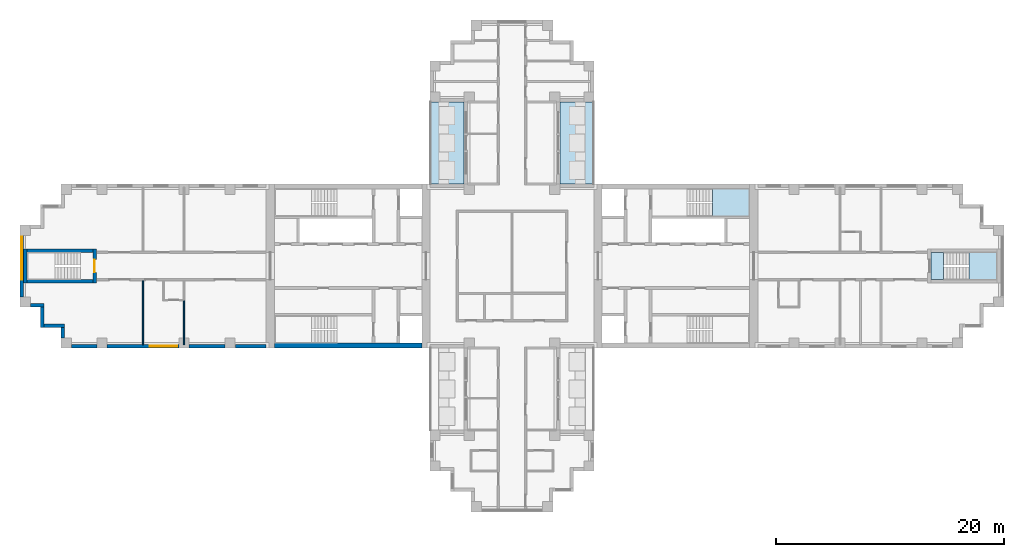
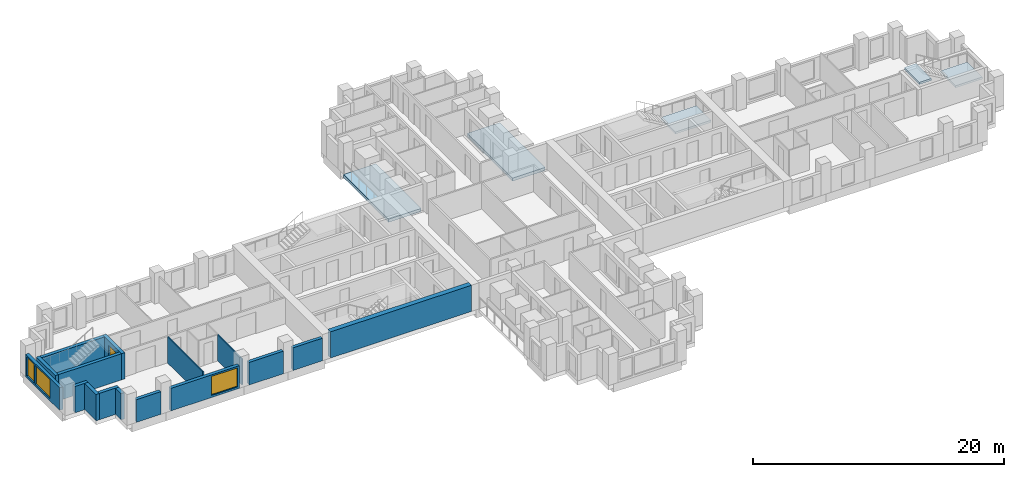
# One storey, part 2 of 12: 16 walls, 5 slabs, 3 windows, 1 door, 4 openings, 2 elements without a shape of their own.
"""IFC4 building model written with IfcOpenShell, lengths in metres."""

from ifc_helpers import new_model, si_unit, direction, frame, frame_2d, origin, place, context, subcontext, project, spatial, polyline, rectangle, outline, extrude, material, layer, layer_set, type_object, element, fill, aggregate, save


model = new_model("IFC4")

# Units and contexts
model_context = context("Model", 3, precision=1e-05, world=origin(), true_north=direction((0.0, 1.0)))
body_context = subcontext(model_context, "Body", "Model", "MODEL_VIEW")
ifc_project = project(units=[si_unit("LENGTHUNIT", "METRE"), si_unit("AREAUNIT", "SQUARE_METRE"), si_unit("VOLUMEUNIT", "CUBIC_METRE"), si_unit("PLANEANGLEUNIT", "RADIAN"), si_unit("MASSUNIT", "GRAM", prefix="KILO")], contexts=[model_context])

# Site, building, storey
site_placement = place(None, origin())
site = spatial("IfcSite", under=ifc_project, at=site_placement, CompositionType="ELEMENT")
building_placement = place(site_placement, origin())
building = spatial("IfcBuilding", under=site, at=building_placement, Name="Fustian Cross Tower", CompositionType="ELEMENT")
storey_placement = place(building_placement, frame((0.0, 0.0, 159.300048828125)))
storey = spatial("IfcBuildingStorey", under=building, at=storey_placement, Name="L50", CompositionType="ELEMENT", Elevation=159.300048828125)

# Slabs
ifc_material_1 = material(Name="Concrete C40/50", Category="concrete")
ifc_layer_1 = layer(ifc_material_1, 0.300048828125)
ifc_layer_set_1 = layer_set([ifc_layer_1], Name="Concrete C40/50")
slab_type_1 = type_object("IfcSlabType", Name="BS1 BALCONY SLAB 300", PredefinedType="FLOOR", material=ifc_layer_set_1)
slab_1_placement = place(storey_placement, frame((0.0, 0.0, -0.300048828125)))
element("IfcSlab", 1, at=slab_1_placement, inside=storey, type_object=slab_type_1, Name="Balcony slab", PredefinedType="FLOOR", context=body_context, shape_type="SweptSolid", body=[
    extrude(outline(polyline([(4.199951171875, 7.199951171875), (7.199951171875, 7.199951171875), (7.199951171875, 14.39990234375), (4.199951171875, 14.39990234375), (4.199951171875, 7.199951171875)])), origin(), (0.0, 0.0, 1.0), 0.300048828125),
])
slab_2_placement = place(storey_placement, frame((0.0, 0.0, -0.300048828125)))
element("IfcSlab", 2, at=slab_2_placement, inside=storey, type_object=slab_type_1, Name="Balcony slab", PredefinedType="FLOOR", context=body_context, shape_type="SweptSolid", body=[
    extrude(outline(polyline([(-7.199951171875, 7.199951171875), (-4.199951171875, 7.199951171875), (-4.199951171875, 14.39990234375), (-7.199951171875, 14.39990234375), (-7.199951171875, 7.199951171875)])), origin(), (0.0, 0.0, 1.0), 0.300048828125),
])

# Stair, slab
ifc_material_2 = material(Name="Concrete C50/60", Category="concrete")
stair_type_1 = type_object("IfcStairType", Name="STAIR 1150 HALF TURN", PredefinedType="HALF_TURN_STAIR", material=ifc_material_2)
stair_1_placement = place(storey_placement, origin())
stair_1 = element("IfcStair", 3, at=stair_1_placement, inside=storey, type_object=stair_type_1, Name="Stair ST1", PredefinedType="HALF_TURN_STAIR")
ifc_material_3 = material(Name="Concrete C50/60", Category="concrete")
ifc_layer_2 = layer(ifc_material_3, 0.199951171875)
ifc_layer_set_2 = layer_set([ifc_layer_2], Name="Concrete C50/60")
slab_type_2 = type_object("IfcSlabType", Name="STAIR LANDING", PredefinedType="LANDING", material=ifc_layer_set_2)
slab_3_placement = place(storey_placement, frame((0.0, 0.0, 1.300048828125)))
slab_3 = element("IfcSlab", 4, at=slab_3_placement, type_object=slab_type_2, Name="ST1 landing 1", PredefinedType="LANDING", context=body_context, shape_type="SweptSolid", body=[
    extrude(outline(polyline([(17.590087890625, 4.39990234375), (20.85009765625, 4.39990234375), (20.85009765625, 6.75), (17.590087890625, 6.75), (17.590087890625, 4.39990234375)])), origin(), (0.0, 0.0, 1.0), 0.199951171875),
])
aggregate(stair_1, [slab_3])

# Stair, slabs
ifc_material_4 = material(Name="Concrete C50/60", Category="concrete")
stair_type_2 = type_object("IfcStairType", Name="STAIR 1100 HALF TURN", PredefinedType="HALF_TURN_STAIR", material=ifc_material_4)
stair_2_placement = place(storey_placement, origin())
stair_2 = element("IfcStair", 5, at=stair_2_placement, inside=storey, type_object=stair_type_2, Name="Stair ST8", PredefinedType="HALF_TURN_STAIR")
slab_4_placement = place(storey_placement, frame((0.0, 0.0, 1.300048828125)))
slab_4 = element("IfcSlab", 6, at=slab_4_placement, type_object=slab_type_2, Name="ST8 landing 1", PredefinedType="LANDING", context=body_context, shape_type="SweptSolid", body=[
    extrude(outline(polyline([(40.139892578125, -1.199951171875), (42.60009765625, -1.199951171875), (42.60009765625, 1.199951171875), (40.139892578125, 1.199951171875), (40.139892578125, -1.199951171875)])), origin(), (0.0, 0.0, 1.0), 0.199951171875),
])
slab_5_placement = place(storey_placement, frame((0.0, 0.0, 2.800048828125)))
slab_5 = element("IfcSlab", 7, at=slab_5_placement, type_object=slab_type_2, Name="ST8 landing 2", PredefinedType="LANDING", context=body_context, shape_type="SweptSolid", body=[
    extrude(outline(polyline([(36.800048828125, -1.199951171875), (37.89990234375, -1.199951171875), (37.89990234375, 1.199951171875), (36.800048828125, 1.199951171875), (36.800048828125, -1.199951171875)])), origin(), (0.0, 0.0, 1.0), 0.199951171875),
])
aggregate(stair_2, [slab_4, slab_5])

# Walls
ifc_material_5 = material(Name="Concrete C60/75", Category="concrete")
ifc_layer_3 = layer(ifc_material_5, 0.449951171875)
ifc_layer_set_3 = layer_set([ifc_layer_3], Name="Concrete C60/75")
wall_type_1 = type_object("IfcWallType", Name="CORE FACADE WALL 450 C60/75", PredefinedType="SHEAR", material=ifc_layer_set_3)
wall_1_placement = place(storey_placement, frame((-7.89990234375, -6.97509765625, 0.0), z_axis=(0.0, 0.0, 1.0), x_axis=(-1.0, 0.0, 0.0)))
element("IfcWall", 8, at=wall_1_placement, inside=storey, type_object=wall_type_1, Name="Core facade wall", PredefinedType="SHEAR", context=body_context, shape_type="SweptSolid", body=[
    extrude(rectangle(XDim=12.9501953125, YDim=0.449951171875, at=frame_2d((6.47509765625, 0.0))), origin(), (0.0, 0.0, 1.0), 2.550048828125),
])
ifc_material_6 = material(Name="Plasterboard on steel stud", Category="steel")
ifc_layer_4 = layer(ifc_material_6, 0.10009765625)
ifc_layer_set_4 = layer_set([ifc_layer_4], Name="Plasterboard on steel stud")
wall_type_2 = type_object("IfcWallType", Name="PARTITION 100 STUD", PredefinedType="PARTITIONING", material=ifc_layer_set_4)
wall_2_placement = place(storey_placement, frame((-32.39990234375, -6.89990234375, 0.0), z_axis=(0.0, 0.0, 1.0), x_axis=(0.0, 1.0, 0.0)))
element("IfcWall", 9, at=wall_2_placement, inside=storey, type_object=wall_type_2, Name="Partition 3", PredefinedType="PARTITIONING", context=body_context, shape_type="SweptSolid", body=[
    extrude(rectangle(XDim=5.625, YDim=0.10009765625, at=frame_2d((2.8125, 0.0))), origin(), (0.0, 0.0, 1.0), 2.550048828125),
])
wall_3_placement = place(storey_placement, frame((-28.800048828125, -6.89990234375, 0.0), z_axis=(0.0, 0.0, 1.0), x_axis=(0.0, 1.0, 0.0)))
element("IfcWall", 10, at=wall_3_placement, inside=storey, type_object=wall_type_2, Name="Partition 7", PredefinedType="PARTITIONING", context=body_context, shape_type="SweptSolid", body=[
    extrude(rectangle(XDim=3.89990234375, YDim=0.10009765625, at=frame_2d((1.949951171875, 0.0))), origin(), (0.0, 0.0, 1.0), 2.550048828125),
])

# Wall, opening, door
ifc_material_7 = material(Name="Concrete C50/60", Category="concrete")
ifc_layer_5 = layer(ifc_material_7, 0.300048828125)
ifc_layer_set_5 = layer_set([ifc_layer_5], Name="Concrete C50/60")
wall_type_3 = type_object("IfcWallType", Name="STAIR ENCLOSURE WALL 300 C50/60", PredefinedType="SHEAR", material=ifc_layer_set_5)
wall_4_placement = place(storey_placement, frame((-36.64990234375, -1.5, 0.0), z_axis=(0.0, 0.0, 1.0), x_axis=(0.0, 1.0, 0.0)))
wall_4 = element("IfcWall", 11, at=wall_4_placement, inside=storey, type_object=wall_type_3, Name="Stair enclosure wall", PredefinedType="SHEAR", context=body_context, shape_type="SweptSolid", body=[
    extrude(rectangle(XDim=3.0, YDim=0.300048828125, at=frame_2d((1.5, 0.0))), origin(), (0.0, 0.0, 1.0), 2.550048828125),
])
opening_1_placement = place(wall_4_placement, frame((0.949951171875, 0.0, 0.0)))
opening_1 = element("IfcOpeningElement", 12, at=opening_1_placement, cuts=wall_4, Name="Opening CD-19-32", PredefinedType="OPENING", context=body_context, shape_type="SweptSolid", body=[
    extrude(rectangle(XDim=1.10009765625, YDim=2.10009765625, at=frame_2d((0.550048828125, 1.050048828125))), frame((0.0, 0.159912109375, 0.0), z_axis=(0.0, -1.0, 0.0), x_axis=(1.0, 0.0, 0.0)), (0.0, 0.0, 1.0), 0.320068359375),
])
ifc_material_8 = material(Name="Steel", Category="steel")
door_type = type_object("IfcDoorType", Name="FIRE DOOR FD60S 1100X2100", OperationType="SINGLE_SWING_LEFT", PredefinedType="DOOR", material=ifc_material_8)
door_placement = place(opening_1_placement, origin())
door = element("IfcDoor", 13, at=door_placement, inside=storey, type_object=door_type, Name="Core door CD-19-32", OperationType="SINGLE_SWING_LEFT", OverallHeight=2.10009765625, OverallWidth=1.10009765625, PredefinedType="DOOR", context=body_context, shape_type="SweptSolid", body=[
    extrude(rectangle(XDim=1.10009765625, YDim=2.10009765625, at=frame_2d((0.550048828125, 1.050048828125))), frame((0.0, 0.02490234375, 0.0), z_axis=(0.0, -1.0, 0.0), x_axis=(1.0, 0.0, 0.0)), (0.0, 0.0, 1.0), 0.050048828125),
])
fill(opening_1, door)

# Walls
wall_5_placement = place(storey_placement, frame((-42.75, -1.5, 0.0), z_axis=(0.0, 0.0, 1.0), x_axis=(0.0, 1.0, 0.0)))
element("IfcWall", 14, at=wall_5_placement, inside=storey, type_object=wall_type_3, Name="Stair enclosure wall", PredefinedType="SHEAR", context=body_context, shape_type="SweptSolid", body=[
    extrude(rectangle(XDim=3.0, YDim=0.300048828125, at=frame_2d((1.5, 0.0))), origin(), (0.0, 0.0, 1.0), 2.550048828125),
])
for number, where, z_axis, x_axis, name in (
    (15, (-36.800048828125, -1.35009765625, 0.0), (0.0, 0.0, 1.0), (-1.0, 0.0, 0.0), "Stair enclosure wall"),
    (16, (-36.800048828125, 1.35009765625, 0.0), (0.0, 0.0, 1.0), (-1.0, 0.0, 0.0), "Stair enclosure wall"),
):
    element("IfcWall", number, at=place(storey_placement, frame(where, z_axis=z_axis, x_axis=x_axis)), inside=storey, type_object=wall_type_3, Name=name, PredefinedType="SHEAR", context=body_context, shape_type="SweptSolid", body=[
        extrude(rectangle(XDim=5.800048828125, YDim=0.300048828125, at=frame_2d((2.89990234375, 0.0))), origin(), (0.0, 0.0, 1.0), 2.550048828125),
    ])

# Wall, openings, windows
ifc_material_9 = material(Name="Dark aluminium cladding on insulated backing wall", Category="aluminium")
ifc_layer_6 = layer(ifc_material_9, 0.300048828125)
ifc_layer_set_6 = layer_set([ifc_layer_6], Name="Dark aluminium cladding on insulated backing wall")
wall_type_4 = type_object("IfcWallType", Name="XW1 EXTERNAL WALL 300", PredefinedType="SOLIDWALL", material=ifc_layer_set_6)
wall_6_placement = place(storey_placement, frame((-43.050048828125, 2.699951171875, 0.0), z_axis=(0.0, 0.0, 1.0), x_axis=(0.0, -1.0, 0.0)))
wall_6 = element("IfcWall", 17, at=wall_6_placement, inside=storey, type_object=wall_type_4, Name="External wall", PredefinedType="SOLIDWALL", context=body_context, shape_type="SweptSolid", body=[
    extrude(rectangle(XDim=5.39990234375, YDim=0.300048828125, at=frame_2d((2.699951171875, 0.0))), origin(), (0.0, 0.0, 1.0), 2.199951171875),
])
opening_2_placement = place(wall_6_placement, frame((1.5, 0.0, 0.199951171875)))
opening_2 = element("IfcOpeningElement", 18, at=opening_2_placement, cuts=wall_6, Name="Opening WN1", PredefinedType="OPENING", context=body_context, shape_type="SweptSolid", body=[
    extrude(rectangle(XDim=2.39990234375, YDim=1.85009765625, at=frame_2d((1.199951171875, 0.925048828125))), frame((0.0, 0.159912109375, 0.0), z_axis=(0.0, -1.0, 0.0), x_axis=(1.0, 0.0, 0.0)), (0.0, 0.0, 1.0), 0.320068359375),
])
opening_3_placement = place(wall_6_placement, frame((0.14990234375, 0.0, 0.199951171875)))
opening_3 = element("IfcOpeningElement", 19, at=opening_3_placement, cuts=wall_6, Name="Opening WN3", PredefinedType="OPENING", context=body_context, shape_type="SweptSolid", body=[
    extrude(rectangle(XDim=1.199951171875, YDim=1.85009765625, at=frame_2d((0.60009765625, 0.925048828125))), frame((0.0, 0.159912109375, 0.0), z_axis=(0.0, -1.0, 0.0), x_axis=(1.0, 0.0, 0.0)), (0.0, 0.0, 1.0), 0.320068359375),
])
ifc_material_10 = material(Name="Dark anodised aluminium and double glazing", Category="aluminium")
window_type_1 = type_object("IfcWindowType", Name="WN1 WINDOW 2400X1850", PartitioningType="SINGLE_PANEL", PredefinedType="WINDOW", material=ifc_material_10)
window_1_placement = place(opening_2_placement, origin())
window_1 = element("IfcWindow", 20, at=window_1_placement, inside=storey, type_object=window_type_1, Name="Window", OverallHeight=1.85009765625, OverallWidth=2.39990234375, PartitioningType="SINGLE_PANEL", PredefinedType="WINDOW", context=body_context, shape_type="SweptSolid", body=[
    extrude(rectangle(XDim=2.39990234375, YDim=1.85009765625, at=frame_2d((1.199951171875, 0.925048828125))), frame((0.0, 0.030029296875, 0.0), z_axis=(0.0, -1.0, 0.0), x_axis=(1.0, 0.0, 0.0)), (0.0, 0.0, 1.0), 0.06005859375),
])
fill(opening_2, window_1)
ifc_material_11 = material(Name="Dark anodised aluminium and double glazing", Category="aluminium")
window_type_2 = type_object("IfcWindowType", Name="WN3 WINDOW 1200X1850", PartitioningType="SINGLE_PANEL", PredefinedType="WINDOW", material=ifc_material_11)
window_2_placement = place(opening_3_placement, origin())
window_2 = element("IfcWindow", 21, at=window_2_placement, inside=storey, type_object=window_type_2, Name="Window", OverallHeight=1.85009765625, OverallWidth=1.199951171875, PartitioningType="SINGLE_PANEL", PredefinedType="WINDOW", context=body_context, shape_type="SweptSolid", body=[
    extrude(rectangle(XDim=1.199951171875, YDim=1.85009765625, at=frame_2d((0.60009765625, 0.925048828125))), frame((0.0, 0.030029296875, 0.0), z_axis=(0.0, -1.0, 0.0), x_axis=(1.0, 0.0, 0.0)), (0.0, 0.0, 1.0), 0.06005859375),
])
fill(opening_3, window_2)

# Walls
wall_7_placement = place(storey_placement, frame((-42.300048828125, -3.449951171875, 0.0), z_axis=(0.0, 0.0, 1.0), x_axis=(1.0, 0.0, 0.0)))
element("IfcWall", 22, at=wall_7_placement, inside=storey, type_object=wall_type_4, Name="External wall", PredefinedType="SOLIDWALL", context=body_context, shape_type="SweptSolid", body=[
    extrude(rectangle(XDim=1.199951171875, YDim=0.300048828125, at=frame_2d((0.60009765625, 0.0))), origin(), (0.0, 0.0, 1.0), 2.550048828125),
])
wall_8_placement = place(storey_placement, frame((-41.25, -3.60009765625, 0.0), z_axis=(0.0, 0.0, 1.0), x_axis=(0.0, -1.0, 0.0)))
element("IfcWall", 23, at=wall_8_placement, inside=storey, type_object=wall_type_4, Name="External wall", PredefinedType="SOLIDWALL", context=body_context, shape_type="SweptSolid", body=[
    extrude(rectangle(XDim=1.7998046875, YDim=0.300048828125, at=frame_2d((0.89990234375, 0.0))), origin(), (0.0, 0.0, 1.0), 2.550048828125),
])
wall_9_placement = place(storey_placement, frame((-41.10009765625, -5.25, 0.0), z_axis=(0.0, 0.0, 1.0), x_axis=(1.0, 0.0, 0.0)))
element("IfcWall", 24, at=wall_9_placement, inside=storey, type_object=wall_type_4, Name="External wall", PredefinedType="SOLIDWALL", context=body_context, shape_type="SweptSolid", body=[
    extrude(rectangle(XDim=1.800048828125, YDim=0.300048828125, at=frame_2d((0.89990234375, 0.0))), origin(), (0.0, 0.0, 1.0), 2.550048828125),
])
wall_10_placement = place(storey_placement, frame((-39.449951171875, -5.39990234375, 0.0), z_axis=(0.0, 0.0, 1.0), x_axis=(0.0, -1.0, 0.0)))
element("IfcWall", 25, at=wall_10_placement, inside=storey, type_object=wall_type_4, Name="External wall", PredefinedType="SOLIDWALL", context=body_context, shape_type="SweptSolid", body=[
    extrude(rectangle(XDim=0.900146484375, YDim=0.300048828125, at=frame_2d((0.4501953125, 0.0))), origin(), (0.0, 0.0, 1.0), 2.550048828125),
])
wall_11_placement = place(storey_placement, frame((-38.699951171875, -7.050048828125, 0.0), z_axis=(0.0, 0.0, 1.0), x_axis=(1.0, 0.0, 0.0)))
element("IfcWall", 26, at=wall_11_placement, inside=storey, type_object=wall_type_4, Name="External wall", PredefinedType="SOLIDWALL", context=body_context, shape_type="SweptSolid", body=[
    extrude(rectangle(XDim=2.25, YDim=0.300048828125, at=frame_2d((1.125, 0.0))), origin(), (0.0, 0.0, 1.0), 2.199951171875),
])

# Wall, opening, window
wall_12_placement = place(storey_placement, frame((-35.550048828125, -7.050048828125, 0.0), z_axis=(0.0, 0.0, 1.0), x_axis=(1.0, 0.0, 0.0)))
wall_12 = element("IfcWall", 27, at=wall_12_placement, inside=storey, type_object=wall_type_4, Name="External wall", PredefinedType="SOLIDWALL", context=body_context, shape_type="SweptSolid", body=[
    extrude(rectangle(XDim=6.300048828125, YDim=0.300048828125, at=frame_2d((3.14990234375, 0.0))), origin(), (0.0, 0.0, 1.0), 2.199951171875),
])
opening_4_placement = place(wall_12_placement, frame((3.75, 0.0, 0.199951171875)))
opening_4 = element("IfcOpeningElement", 28, at=opening_4_placement, cuts=wall_12, Name="Opening WN1", PredefinedType="OPENING", context=body_context, shape_type="SweptSolid", body=[
    extrude(rectangle(XDim=2.39990234375, YDim=1.85009765625, at=frame_2d((1.199951171875, 0.925048828125))), frame((0.0, 0.159912109375, 0.0), z_axis=(0.0, -1.0, 0.0), x_axis=(1.0, 0.0, 0.0)), (0.0, 0.0, 1.0), 0.320068359375),
])
window_3_placement = place(opening_4_placement, origin())
window_3 = element("IfcWindow", 29, at=window_3_placement, inside=storey, type_object=window_type_1, Name="Window", OverallHeight=1.85009765625, OverallWidth=2.39990234375, PartitioningType="SINGLE_PANEL", PredefinedType="WINDOW", context=body_context, shape_type="SweptSolid", body=[
    extrude(rectangle(XDim=2.39990234375, YDim=1.85009765625, at=frame_2d((1.199951171875, 0.925048828125))), frame((0.0, 0.030029296875, 0.0), z_axis=(0.0, -1.0, 0.0), x_axis=(1.0, 0.0, 0.0)), (0.0, 0.0, 1.0), 0.06005859375),
])
fill(opening_4, window_3)

# Walls
wall_13_placement = place(storey_placement, frame((-28.35009765625, -7.050048828125, 0.0), z_axis=(0.0, 0.0, 1.0), x_axis=(1.0, 0.0, 0.0)))
element("IfcWall", 30, at=wall_13_placement, inside=storey, type_object=wall_type_4, Name="External wall", PredefinedType="SOLIDWALL", context=body_context, shape_type="SweptSolid", body=[
    extrude(rectangle(XDim=3.150146484375, YDim=0.300048828125, at=frame_2d((1.5751953125, 0.0))), origin(), (0.0, 0.0, 1.0), 2.199951171875),
])
wall_14_placement = place(storey_placement, frame((-24.300048828125, -7.050048828125, 0.0), z_axis=(0.0, 0.0, 1.0), x_axis=(1.0, 0.0, 0.0)))
element("IfcWall", 31, at=wall_14_placement, inside=storey, type_object=wall_type_4, Name="External wall", PredefinedType="SOLIDWALL", context=body_context, shape_type="SweptSolid", body=[
    extrude(rectangle(XDim=2.699951171875, YDim=0.300048828125, at=frame_2d((1.35009765625, 0.0))), origin(), (0.0, 0.0, 1.0), 2.199951171875),
])

save(model, "model.ifc")
